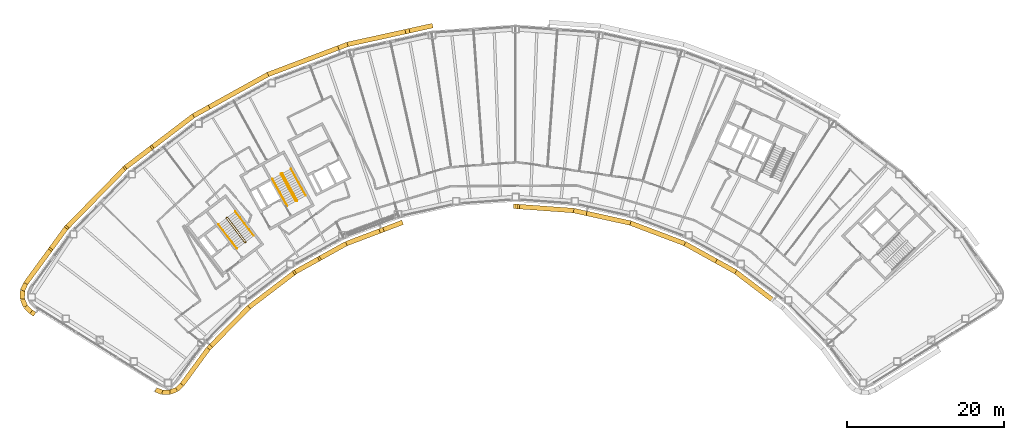
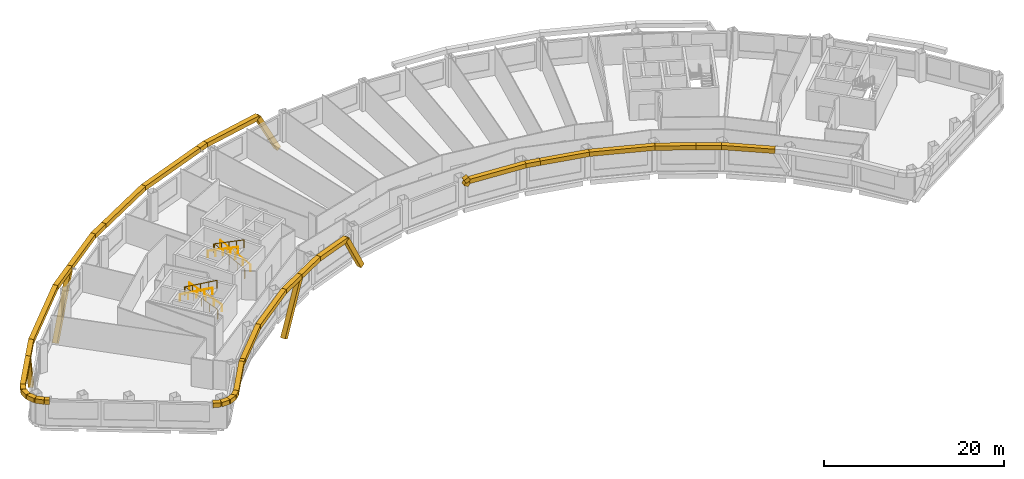
# One storey, part 14 of 16: 40 coverings, 6 railings.
"""IFC4 building model written with IfcOpenShell, lengths in metres."""

from ifc_helpers import new_model, si_unit, direction, frame, origin, origin_2d, place, context, subcontext, project, spatial, rectangle, circle, extrude, material, material_profile, profile_set, type_object, element, save


model = new_model("IFC4")

# Units and contexts
model_context = context("Model", 3, precision=1e-05, world=origin(), true_north=direction((0.0, 1.0)))
body_context = subcontext(model_context, "Body", "Model", "MODEL_VIEW")
ifc_project = project(units=[si_unit("LENGTHUNIT", "METRE"), si_unit("AREAUNIT", "SQUARE_METRE"), si_unit("VOLUMEUNIT", "CUBIC_METRE"), si_unit("PLANEANGLEUNIT", "RADIAN"), si_unit("MASSUNIT", "GRAM", prefix="KILO")], contexts=[model_context])

# Site, building, storey
site_placement = place(None, origin())
site = spatial("IfcSite", under=ifc_project, at=site_placement, CompositionType="ELEMENT")
building_placement = place(site_placement, origin())
building = spatial("IfcBuilding", under=site, at=building_placement, Name="Tuul Gate Civic Tower", CompositionType="ELEMENT")
storey_placement = place(building_placement, frame((0.0, 0.0, 184.699951171875)))
storey = spatial("IfcBuildingStorey", under=building, at=storey_placement, Name="Level 42", CompositionType="ELEMENT", Elevation=184.699951171875)

# Railings
ifc_material_1 = material(Name="Painted steel", Category="steel")
railing_type_1 = type_object("IfcRailingType", Name="Stair guard", PredefinedType="GUARDRAIL", material=ifc_material_1)
railing_1_placement = place(storey_placement, frame((-33.382080078125, -13.515380859375, 0.0)))
element("IfcRailing", 1, at=railing_1_placement, inside=storey, type_object=railing_type_1, Name="Level 42 ST-1 stair guard 1", PredefinedType="GUARDRAIL", context=body_context, shape_type="SweptSolid", body=[
    extrude(circle(Radius=0.02392578125, at=origin_2d()), frame((0.0, 0.0, 1.076171875), z_axis=(-0.795879841968, -0.605454603706, 0.0), x_axis=(0.605454603706, -0.795879841968, 0.0)), (0.0, 0.0, 1.0), 0.10009765625),
    extrude(circle(Radius=0.02392578125, at=origin_2d()), frame((-0.07958984375, -0.060546875, 1.076171875), z_axis=(0.408676696321, 0.599019267211, 0.688592241747), x_axis=(-0.826063974707, 0.563576356576, 0.0)), (0.0, 0.0, 1.0), 0.218017578125),
    extrude(circle(Radius=0.02392578125, at=origin_2d()), frame((0.009521484375, 0.070068359375, 1.22607421875), z_axis=(-0.541824460341, 0.711645023348, 0.447199748346), x_axis=(-0.795637165283, -0.60577347352, 0.0)), (0.0, 0.0, 1.0), 4.3603515625),
    extrude(circle(Radius=0.02392578125, at=origin_2d()), frame((-2.35302734375, 3.173095703125, 3.17626953125), z_axis=(-0.990893089246, 0.134650977284, 0.0), x_axis=(-0.134650977284, -0.990893089246, 0.0)), (0.0, 0.0, 1.0), 0.07080078125),
    extrude(circle(Radius=0.02392578125, at=origin_2d()), frame((-2.423095703125, 3.1826171875, 3.17626953125), z_axis=(-0.793802879778, -0.60817512943, 0.0), x_axis=(0.60817512943, -0.793802879778, 0.0)), (0.0, 0.0, 1.0), 0.099853515625),
    extrude(circle(Radius=0.02392578125, at=origin_2d()), frame((-2.50244140625, 3.121826171875, 3.17626953125), z_axis=(-0.057447065493, -0.422751481959, 0.904423031091), x_axis=(0.990893089246, -0.134650977284, 0.0)), (0.0, 0.0, 1.0), 0.165771484375),
    extrude(circle(Radius=0.02392578125, at=origin_2d()), frame((-2.511962890625, 3.0517578125, 3.326171875), z_axis=(0.541806494602, -0.71163897684, 0.447231136047), x_axis=(0.795644365679, 0.605764016233, 0.0)), (0.0, 0.0, 1.0), 4.360107421875),
    extrude(circle(Radius=0.02099609375, at=origin_2d()), origin(), (0.0, 0.0, 1.0), 1.052001953125),
    extrude(circle(Radius=0.02099609375, at=origin_2d()), frame((-0.07958984375, -0.060546875, 0.0)), (0.0, 0.0, 1.0), 1.052001953125),
    extrude(circle(Radius=0.02099609375, at=origin_2d()), frame((0.009521484375, 0.070068359375, 0.150146484375)), (0.0, 0.0, 1.0), 1.052001953125),
    extrude(circle(Radius=0.02099609375, at=origin_2d()), frame((-0.5810546875, 0.845703125, 0.6376953125)), (0.0, 0.0, 1.0), 1.052001953125),
    extrude(circle(Radius=0.02099609375, at=origin_2d()), frame((-1.171875, 1.62158203125, 1.125)), (0.0, 0.0, 1.0), 1.052001953125),
    extrude(circle(Radius=0.02099609375, at=origin_2d()), frame((-1.762451171875, 2.3974609375, 1.612548828125)), (0.0, 0.0, 1.0), 1.052001953125),
    extrude(circle(Radius=0.02099609375, at=origin_2d()), frame((-2.35302734375, 3.173095703125, 2.10009765625)), (0.0, 0.0, 1.0), 1.052001953125),
    extrude(circle(Radius=0.02099609375, at=origin_2d()), frame((-2.423095703125, 3.1826171875, 2.10009765625)), (0.0, 0.0, 1.0), 1.052001953125),
    extrude(circle(Radius=0.02099609375, at=origin_2d()), frame((-2.50244140625, 3.121826171875, 2.10009765625)), (0.0, 0.0, 1.0), 1.052001953125),
    extrude(circle(Radius=0.02099609375, at=origin_2d()), frame((-2.511962890625, 3.0517578125, 2.25)), (0.0, 0.0, 1.0), 1.052001953125),
    extrude(circle(Radius=0.02099609375, at=origin_2d()), frame((-1.92138671875, 2.276123046875, 2.737548828125)), (0.0, 0.0, 1.0), 1.052001953125),
    extrude(circle(Radius=0.02099609375, at=origin_2d()), frame((-1.330810546875, 1.50048828125, 3.22509765625)), (0.0, 0.0, 1.0), 1.052001953125),
    extrude(circle(Radius=0.02099609375, at=origin_2d()), frame((-0.740234375, 0.724609375, 3.71240234375)), (0.0, 0.0, 1.0), 1.052001953125),
    extrude(circle(Radius=0.02099609375, at=origin_2d()), frame((-0.149658203125, -0.051025390625, 4.199951171875)), (0.0, 0.0, 1.0), 1.052001953125),
])
railing_2_placement = place(storey_placement, frame((-26.857666015625, -8.247314453125, 0.0)))
element("IfcRailing", 2, at=railing_2_placement, inside=storey, type_object=railing_type_1, Name="Level 42 ST-2 stair guard 1", PredefinedType="GUARDRAIL", context=body_context, shape_type="SweptSolid", body=[
    extrude(circle(Radius=0.02392578125, at=origin_2d()), frame((0.0, 0.0, 1.076171875), z_axis=(-0.874616555828, -0.48481530532, 0.0), x_axis=(0.48481530532, -0.874616555828, 0.0)), (0.0, 0.0, 1.0), 0.10009765625),
    extrude(circle(Radius=0.02392578125, at=origin_2d()), frame((-0.087646484375, -0.048583984375, 1.076171875), z_axis=(0.490435707169, 0.534104639999, 0.688625479244), x_axis=(-0.736576986774, 0.676353711126, 0.0)), (0.0, 0.0, 1.0), 0.218017578125),
    extrude(circle(Radius=0.02392578125, at=origin_2d()), frame((0.019287109375, 0.06787109375, 1.22607421875), z_axis=(-0.43354991378, 0.782327185242, 0.447212083348), x_axis=(-0.874667644053, -0.484723129681, 0.0)), (0.0, 0.0, 1.0), 4.3603515625),
    extrude(circle(Radius=0.02392578125, at=origin_2d()), frame((-1.87109375, 3.47900390625, 3.17626953125), z_axis=(-0.961263487578, 0.275631107549, 0.0), x_axis=(-0.275631107549, -0.961263487578, 0.0)), (0.0, 0.0, 1.0), 0.07080078125),
    extrude(circle(Radius=0.02392578125, at=origin_2d()), frame((-1.939208984375, 3.49853515625, 3.17626953125), z_axis=(-0.874042088414, -0.485850211157, 0.0), x_axis=(0.485850211157, -0.874042088414, 0.0)), (0.0, 0.0, 1.0), 0.10009765625),
    extrude(circle(Radius=0.02392578125, at=origin_2d()), frame((-2.026611328125, 3.449951171875, 3.17626953125), z_axis=(-0.117866478395, -0.409586012422, 0.90462522168), x_axis=(0.961000426733, -0.276546885391, 0.0)), (0.0, 0.0, 1.0), 0.165771484375),
    extrude(circle(Radius=0.02392578125, at=origin_2d()), frame((-2.046142578125, 3.382080078125, 3.326171875), z_axis=(0.433595379963, -0.782308193291, 0.447201226726), x_axis=(0.874641102302, 0.484771020343, 0.0)), (0.0, 0.0, 1.0), 4.3603515625),
    extrude(circle(Radius=0.02099609375, at=origin_2d()), origin(), (0.0, 0.0, 1.0), 1.052001953125),
    extrude(circle(Radius=0.02099609375, at=origin_2d()), frame((-0.087646484375, -0.048583984375, 0.0)), (0.0, 0.0, 1.0), 1.052001953125),
    extrude(circle(Radius=0.02099609375, at=origin_2d()), frame((0.019287109375, 0.06787109375, 0.150146484375)), (0.0, 0.0, 1.0), 1.052001953125),
    extrude(circle(Radius=0.02099609375, at=origin_2d()), frame((-0.453369140625, 0.920654296875, 0.6376953125)), (0.0, 0.0, 1.0), 1.052001953125),
    extrude(circle(Radius=0.02099609375, at=origin_2d()), frame((-0.92578125, 1.7734375, 1.125)), (0.0, 0.0, 1.0), 1.052001953125),
    extrude(circle(Radius=0.02099609375, at=origin_2d()), frame((-1.3984375, 2.626220703125, 1.612548828125)), (0.0, 0.0, 1.0), 1.052001953125),
    extrude(circle(Radius=0.02099609375, at=origin_2d()), frame((-1.87109375, 3.47900390625, 2.10009765625)), (0.0, 0.0, 1.0), 1.052001953125),
    extrude(circle(Radius=0.02099609375, at=origin_2d()), frame((-1.939208984375, 3.49853515625, 2.10009765625)), (0.0, 0.0, 1.0), 1.052001953125),
    extrude(circle(Radius=0.02099609375, at=origin_2d()), frame((-2.026611328125, 3.449951171875, 2.10009765625)), (0.0, 0.0, 1.0), 1.052001953125),
    extrude(circle(Radius=0.02099609375, at=origin_2d()), frame((-2.046142578125, 3.382080078125, 2.25)), (0.0, 0.0, 1.0), 1.052001953125),
    extrude(circle(Radius=0.02099609375, at=origin_2d()), frame((-1.573486328125, 2.529296875, 2.737548828125)), (0.0, 0.0, 1.0), 1.052001953125),
    extrude(circle(Radius=0.02099609375, at=origin_2d()), frame((-1.100830078125, 1.676513671875, 3.22509765625)), (0.0, 0.0, 1.0), 1.052001953125),
    extrude(circle(Radius=0.02099609375, at=origin_2d()), frame((-0.628173828125, 0.82373046875, 3.71240234375)), (0.0, 0.0, 1.0), 1.052001953125),
    extrude(circle(Radius=0.02099609375, at=origin_2d()), frame((-0.155517578125, -0.029052734375, 4.199951171875)), (0.0, 0.0, 1.0), 1.052001953125),
])
ifc_material_2 = material(Name="Painted steel", Category="steel")
railing_type_2 = type_object("IfcRailingType", Name="Stair handrail", PredefinedType="HANDRAIL", material=ifc_material_2)
railing_3_placement = place(storey_placement, frame((-32.3779296875, -12.688232421875, 0.150146484375)))
element("IfcRailing", 3, at=railing_3_placement, inside=storey, type_object=railing_type_2, Name="Level 42 ST-1 stair handrail 1", PredefinedType="HANDRAIL", context=body_context, shape_type="SweptSolid", body=[
    extrude(circle(Radius=0.02392578125, at=origin_2d()), frame((0.0, 0.0, 0.8759765625), z_axis=(-0.541824460341, 0.711645023348, 0.447199748346), x_axis=(-0.795637165283, -0.60577347352, 0.0)), (0.0, 0.0, 1.0), 4.3603515625),
    extrude(circle(Radius=0.02099609375, at=origin_2d()), origin(), (0.0, 0.0, 1.0), 0.851806640625),
    extrude(circle(Radius=0.02099609375, at=origin_2d()), frame((-0.590576171875, 0.77587890625, 0.487548828125)), (0.0, 0.0, 1.0), 0.851806640625),
    extrude(circle(Radius=0.02099609375, at=origin_2d()), frame((-1.18115234375, 1.551513671875, 0.97509765625)), (0.0, 0.0, 1.0), 0.851806640625),
    extrude(circle(Radius=0.02099609375, at=origin_2d()), frame((-1.77197265625, 2.3271484375, 1.46240234375)), (0.0, 0.0, 1.0), 0.851806640625),
    extrude(circle(Radius=0.02099609375, at=origin_2d()), frame((-2.362548828125, 3.10302734375, 1.949951171875)), (0.0, 0.0, 1.0), 0.851806640625),
])
railing_4_placement = place(storey_placement, frame((-36.888671875, -11.220703125, 2.25)))
element("IfcRailing", 4, at=railing_4_placement, inside=storey, type_object=railing_type_2, Name="Level 42 ST-1 stair handrail 2", PredefinedType="HANDRAIL", context=body_context, shape_type="SweptSolid", body=[
    extrude(circle(Radius=0.02392578125, at=origin_2d()), frame((0.0, 0.0, 0.8759765625), z_axis=(0.541824460341, -0.711645023348, 0.447199748346), x_axis=(0.795637165283, 0.60577347352, 0.0)), (0.0, 0.0, 1.0), 4.3603515625),
    extrude(circle(Radius=0.02099609375, at=origin_2d()), origin(), (0.0, 0.0, 1.0), 0.851806640625),
    extrude(circle(Radius=0.02099609375, at=origin_2d()), frame((0.590576171875, -0.77587890625, 0.487548828125)), (0.0, 0.0, 1.0), 0.851806640625),
    extrude(circle(Radius=0.02099609375, at=origin_2d()), frame((1.18115234375, -1.551513671875, 0.97509765625)), (0.0, 0.0, 1.0), 0.851806640625),
    extrude(circle(Radius=0.02099609375, at=origin_2d()), frame((1.77197265625, -2.3271484375, 1.46240234375)), (0.0, 0.0, 1.0), 0.851806640625),
    extrude(circle(Radius=0.02099609375, at=origin_2d()), frame((2.362548828125, -3.10302734375, 1.949951171875)), (0.0, 0.0, 1.0), 0.851806640625),
])
railing_5_placement = place(storey_placement, frame((-25.744873046875, -7.573486328125, 0.150146484375)))
element("IfcRailing", 5, at=railing_5_placement, inside=storey, type_object=railing_type_2, Name="Level 42 ST-2 stair handrail 1", PredefinedType="HANDRAIL", context=body_context, shape_type="SweptSolid", body=[
    extrude(circle(Radius=0.02392578125, at=origin_2d()), frame((0.0, 0.0, 0.8759765625), z_axis=(-0.433595379963, 0.782308193291, 0.447201226726), x_axis=(-0.874641102302, -0.484771020343, 0.0)), (0.0, 0.0, 1.0), 4.3603515625),
    extrude(circle(Radius=0.02099609375, at=origin_2d()), origin(), (0.0, 0.0, 1.0), 0.851806640625),
    extrude(circle(Radius=0.02099609375, at=origin_2d()), frame((-0.47265625, 0.852783203125, 0.487548828125)), (0.0, 0.0, 1.0), 0.851806640625),
    extrude(circle(Radius=0.02099609375, at=origin_2d()), frame((-0.9453125, 1.70556640625, 0.97509765625)), (0.0, 0.0, 1.0), 0.851806640625),
    extrude(circle(Radius=0.02099609375, at=origin_2d()), frame((-1.41796875, 2.558349609375, 1.46240234375)), (0.0, 0.0, 1.0), 0.851806640625),
    extrude(circle(Radius=0.02099609375, at=origin_2d()), frame((-1.890625, 3.4111328125, 1.949951171875)), (0.0, 0.0, 1.0), 0.851806640625),
])
railing_6_placement = place(storey_placement, frame((-29.9970703125, -5.47119140625, 2.25)))
element("IfcRailing", 6, at=railing_6_placement, inside=storey, type_object=railing_type_2, Name="Level 42 ST-2 stair handrail 2", PredefinedType="HANDRAIL", context=body_context, shape_type="SweptSolid", body=[
    extrude(circle(Radius=0.02392578125, at=origin_2d()), frame((0.0, 0.0, 0.8759765625), z_axis=(0.433595379963, -0.782308193291, 0.447201226726), x_axis=(0.874641102302, 0.484771020343, 0.0)), (0.0, 0.0, 1.0), 4.3603515625),
    extrude(circle(Radius=0.02099609375, at=origin_2d()), origin(), (0.0, 0.0, 1.0), 0.851806640625),
    extrude(circle(Radius=0.02099609375, at=origin_2d()), frame((0.47265625, -0.852783203125, 0.487548828125)), (0.0, 0.0, 1.0), 0.851806640625),
    extrude(circle(Radius=0.02099609375, at=origin_2d()), frame((0.9453125, -1.70556640625, 0.97509765625)), (0.0, 0.0, 1.0), 0.851806640625),
    extrude(circle(Radius=0.02099609375, at=origin_2d()), frame((1.41796875, -2.558349609375, 1.46240234375)), (0.0, 0.0, 1.0), 0.851806640625),
    extrude(circle(Radius=0.02099609375, at=origin_2d()), frame((1.890625, -3.4111328125, 1.949951171875)), (0.0, 0.0, 1.0), 0.851806640625),
])

# Coverings
ifc_material_3 = material(Name="Terracotta baguette", Category="masonry")
ifc_material_profile = material_profile(ifc_material_3, rectangle(XDim=0.60009765625, YDim=0.60009765625, at=origin_2d()), Name="Terracotta baguette screen frame")
ifc_profile_set = profile_set([ifc_material_profile], Name="Terracotta baguette")
covering_type = type_object("IfcCoveringType", Name="Terracotta baguette screen frame", PredefinedType="CLADDING", material=ifc_profile_set)
covering_1_placement = place(storey_placement, frame((-9.83349609375, 14.03515625, -1.753662109375), z_axis=(-0.464008503472, -0.102278146667, 0.879906409467), x_axis=(0.215255779453, -0.976557704087, 0.0)))
element("IfcCovering", 7, at=covering_1_placement, inside=storey, type_object=covering_type, Name="Baguette 82", PredefinedType="CLADDING", context=body_context, shape_type="SweptSolid", body=[
    extrude(rectangle(XDim=0.60009765625, YDim=0.60009765625, at=origin_2d()), origin(), (0.0, 0.0, 1.0), 6.36865234375),
])
covering_2_placement = place(storey_placement, frame((-12.78857421875, 13.3837890625, 3.85009765625), z_axis=(-0.976561499416, -0.21523856034, 0.0), x_axis=(0.21523856034, -0.976561499416, 0.0)))
element("IfcCovering", 8, at=covering_2_placement, inside=storey, type_object=covering_type, Name="Baguette 89", PredefinedType="CLADDING", context=body_context, shape_type="SweptSolid", body=[
    extrude(rectangle(XDim=0.60009765625, YDim=0.60009765625, at=origin_2d()), origin(), (0.0, 0.0, 1.0), 7.82421875),
])
covering_3_placement = place(storey_placement, frame((-20.429443359375, 11.69970703125, 3.85009765625), z_axis=(-0.935377216665, -0.353651611821, 0.0), x_axis=(0.353651611821, -0.935377216665, 0.0)))
element("IfcCovering", 9, at=covering_3_placement, inside=storey, type_object=covering_type, Name="Baguette 90", PredefinedType="CLADDING", context=body_context, shape_type="SweptSolid", body=[
    extrude(rectangle(XDim=0.60009765625, YDim=0.60009765625, at=origin_2d()), origin(), (0.0, 0.0, 1.0), 1.248046875),
])
covering_4_placement = place(storey_placement, frame((-38.050048828125, 3.72021484375, 3.85009765625), z_axis=(-0.874635533346, -0.484781067915, 0.0), x_axis=(0.484781067915, -0.874635533346, 0.0)))
element("IfcCovering", 10, at=covering_4_placement, inside=storey, type_object=covering_type, Name="Baguette 107", PredefinedType="CLADDING", context=body_context, shape_type="SweptSolid", body=[
    extrude(rectangle(XDim=0.60009765625, YDim=0.60009765625, at=origin_2d()), origin(), (0.0, 0.0, 1.0), 2.3095703125),
])
covering_5_placement = place(storey_placement, frame((-40.070068359375, 2.6005859375, 3.85009765625), z_axis=(-0.795616483898, -0.605800635977, 0.0), x_axis=(0.605800635977, -0.795616483898, 0.0)))
element("IfcCovering", 11, at=covering_5_placement, inside=storey, type_object=covering_type, Name="Baguette 108", PredefinedType="CLADDING", context=body_context, shape_type="SweptSolid", body=[
    extrude(rectangle(XDim=0.60009765625, YDim=0.60009765625, at=origin_2d()), origin(), (0.0, 0.0, 1.0), 6.762939453125),
])
covering_6_placement = place(storey_placement, frame((-45.45068359375, -1.496337890625, 3.85009765625), z_axis=(-0.378051292812, -0.28785127331, -0.879897076059), x_axis=(0.605793108402, -0.79562221551, 0.0)))
element("IfcCovering", 12, at=covering_6_placement, inside=storey, type_object=covering_type, Name="Baguette 111", PredefinedType="CLADDING", context=body_context, shape_type="SweptSolid", body=[
    extrude(rectangle(XDim=0.60009765625, YDim=0.60009765625, at=origin_2d()), origin(), (0.0, 0.0, 1.0), 8.6044921875),
])
covering_7_placement = place(storey_placement, frame((-56.299560546875, -11.7216796875, -2.0859375), z_axis=(-0.281332695799, -0.385255540514, 0.878880016144), x_axis=(0.807590994458, -0.589742982723, 0.0)))
element("IfcCovering", 13, at=covering_7_placement, inside=storey, type_object=covering_type, Name="Baguette 124", PredefinedType="CLADDING", context=body_context, shape_type="SweptSolid", body=[
    extrude(rectangle(XDim=0.60009765625, YDim=0.60009765625, at=origin_2d()), origin(), (0.0, 0.0, 1.0), 6.754150390625),
])
covering_8_placement = place(storey_placement, frame((-58.19970703125, -14.32373046875, 3.85009765625), z_axis=(-0.589776736923, -0.807566344386, 0.0), x_axis=(0.807566344386, -0.589776736923, 0.0)))
element("IfcCovering", 14, at=covering_8_placement, inside=storey, type_object=covering_type, Name="Baguette 135", PredefinedType="CLADDING", context=body_context, shape_type="SweptSolid", body=[
    extrude(rectangle(XDim=0.60009765625, YDim=0.60009765625, at=origin_2d()), origin(), (0.0, 0.0, 1.0), 5.512939453125),
])
covering_9_placement = place(storey_placement, frame((-61.451171875, -18.77587890625, 3.85009765625), z_axis=(-0.413393330634, -0.910552554325, 0.0), x_axis=(0.910552554325, -0.413393330634, 0.0)))
element("IfcCovering", 15, at=covering_9_placement, inside=storey, type_object=covering_type, Name="Baguette 136", PredefinedType="CLADDING", context=body_context, shape_type="SweptSolid", body=[
    extrude(rectangle(XDim=0.60009765625, YDim=0.60009765625, at=origin_2d()), origin(), (0.0, 0.0, 1.0), 0.988037109375),
])
covering_10_placement = place(storey_placement, frame((-61.859619140625, -19.675537109375, 3.85009765625), z_axis=(-0.014633694716, -0.999892921757, 0.0), x_axis=(0.999892921757, -0.014633694716, 0.0)))
element("IfcCovering", 16, at=covering_10_placement, inside=storey, type_object=covering_type, Name="Baguette 137", PredefinedType="CLADDING", context=body_context, shape_type="SweptSolid", body=[
    extrude(rectangle(XDim=0.60009765625, YDim=0.60009765625, at=origin_2d()), origin(), (0.0, 0.0, 1.0), 1.067626953125),
])
covering_11_placement = place(storey_placement, frame((-61.875244140625, -20.7431640625, 3.85009765625), z_axis=(0.385784883999, -0.922588761734, 0.0), x_axis=(0.922588761734, 0.385784883999, 0.0)))
element("IfcCovering", 17, at=covering_11_placement, inside=storey, type_object=covering_type, Name="Baguette 138", PredefinedType="CLADDING", context=body_context, shape_type="SweptSolid", body=[
    extrude(rectangle(XDim=0.60009765625, YDim=0.60009765625, at=origin_2d()), origin(), (0.0, 0.0, 1.0), 1.06689453125),
])
covering_12_placement = place(storey_placement, frame((-61.463623046875, -21.7275390625, 3.85009765625), z_axis=(0.722137314744, -0.691749737011, 0.0), x_axis=(0.691749737011, 0.722137314744, 0.0)))
element("IfcCovering", 18, at=covering_12_placement, inside=storey, type_object=covering_type, Name="Baguette 139", PredefinedType="CLADDING", context=body_context, shape_type="SweptSolid", body=[
    extrude(rectangle(XDim=0.60009765625, YDim=0.60009765625, at=origin_2d()), origin(), (0.0, 0.0, 1.0), 0.98828125),
])
covering_13_placement = place(storey_placement, frame((-60.75, -22.4111328125, 3.85009765625), z_axis=(0.848049364617, -0.529917234267, 0.0), x_axis=(0.529917234267, 0.848049364617, 0.0)))
element("IfcCovering", 19, at=covering_13_placement, inside=storey, type_object=covering_type, Name="Baguette 140", PredefinedType="CLADDING", context=body_context, shape_type="SweptSolid", body=[
    extrude(rectangle(XDim=0.60009765625, YDim=0.60009765625, at=origin_2d()), origin(), (0.0, 0.0, 1.0), 0.537109375),
])
covering_14_placement = place(storey_placement, frame((-44.894775390625, -32.318359375, 3.85009765625), z_axis=(0.931836861998, -0.362877476047, 0.0), x_axis=(0.362877476047, 0.931836861998, 0.0)))
element("IfcCovering", 20, at=covering_14_placement, inside=storey, type_object=covering_type, Name="Baguette 165", PredefinedType="CLADDING", context=body_context, shape_type="SweptSolid", body=[
    extrude(rectangle(XDim=0.60009765625, YDim=0.60009765625, at=origin_2d()), origin(), (0.0, 0.0, 1.0), 0.901611328125),
])
covering_15_placement = place(storey_placement, frame((-44.0546875, -32.6455078125, 3.85009765625), z_axis=(0.999995470638, 0.003009768158, 0.0), x_axis=(-0.003009768158, 0.999995470638, 0.0)))
element("IfcCovering", 21, at=covering_15_placement, inside=storey, type_object=covering_type, Name="Baguette 166", PredefinedType="CLADDING", context=body_context, shape_type="SweptSolid", body=[
    extrude(rectangle(XDim=0.60009765625, YDim=0.60009765625, at=origin_2d()), origin(), (0.0, 0.0, 1.0), 0.973388671875),
])
covering_16_placement = place(storey_placement, frame((-43.081298828125, -32.642578125, 3.85009765625), z_axis=(0.92921778572, 0.369532551614, 0.0), x_axis=(-0.369532551614, 0.92921778572, 0.0)))
element("IfcCovering", 22, at=covering_16_placement, inside=storey, type_object=covering_type, Name="Baguette 167", PredefinedType="CLADDING", context=body_context, shape_type="SweptSolid", body=[
    extrude(rectangle(XDim=0.60009765625, YDim=0.60009765625, at=origin_2d()), origin(), (0.0, 0.0, 1.0), 0.974609375),
])
covering_17_placement = place(storey_placement, frame((-42.17578125, -32.282470703125, 3.85009765625), z_axis=(0.729883388516, 0.68357167815, 0.0), x_axis=(-0.68357167815, 0.729883388516, 0.0)))
element("IfcCovering", 23, at=covering_17_placement, inside=storey, type_object=covering_type, Name="Baguette 168", PredefinedType="CLADDING", context=body_context, shape_type="SweptSolid", body=[
    extrude(rectangle(XDim=0.60009765625, YDim=0.60009765625, at=origin_2d()), origin(), (0.0, 0.0, 1.0), 0.9013671875),
])
covering_18_placement = place(storey_placement, frame((-41.517822265625, -31.666259765625, 3.85009765625), z_axis=(0.589729447422, 0.807600878432, 0.0), x_axis=(-0.807600878432, 0.589729447422, 0.0)))
element("IfcCovering", 24, at=covering_18_placement, inside=storey, type_object=covering_type, Name="Baguette 169", PredefinedType="CLADDING", context=body_context, shape_type="SweptSolid", body=[
    extrude(rectangle(XDim=0.60009765625, YDim=0.60009765625, at=origin_2d()), origin(), (0.0, 0.0, 1.0), 5.671142578125),
])
covering_19_placement = place(storey_placement, frame((-38.17333984375, -27.086181640625, 3.85009765625), z_axis=(0.700128863512, 0.714016508547, 0.0), x_axis=(-0.714016508547, 0.700128863512, 0.0)))
element("IfcCovering", 25, at=covering_19_placement, inside=storey, type_object=covering_type, Name="Baguette 170", PredefinedType="CLADDING", context=body_context, shape_type="SweptSolid", body=[
    extrude(rectangle(XDim=0.60009765625, YDim=0.60009765625, at=origin_2d()), origin(), (0.0, 0.0, 1.0), 0.509765625),
])
covering_20_placement = place(storey_placement, frame((-27.078857421875, -17.295654296875, -2.561767578125), z_axis=(0.407705257724, 0.226001369418, 0.88470322925), x_axis=(-0.484820540629, 0.874613653783, 0.0)))
element("IfcCovering", 26, at=covering_20_placement, inside=storey, type_object=covering_type, Name="Baguette 189", PredefinedType="CLADDING", context=body_context, shape_type="SweptSolid", body=[
    extrude(rectangle(XDim=0.60009765625, YDim=0.60009765625, at=origin_2d()), origin(), (0.0, 0.0, 1.0), 7.24755859375),
])
covering_21_placement = place(storey_placement, frame((-24.1240234375, -15.65771484375, 3.85009765625), z_axis=(0.874618697284, 0.484811442069, 0.0), x_axis=(-0.484811442069, 0.874618697284, 0.0)))
element("IfcCovering", 27, at=covering_21_placement, inside=storey, type_object=covering_type, Name="Baguette 196", PredefinedType="CLADDING", context=body_context, shape_type="SweptSolid", body=[
    extrude(rectangle(XDim=0.60009765625, YDim=0.60009765625, at=origin_2d()), origin(), (0.0, 0.0, 1.0), 4.039794921875),
])
covering_22_placement = place(storey_placement, frame((-20.5908203125, -13.69921875, 3.85009765625), z_axis=(0.935372913928, 0.353662991972, 0.0), x_axis=(-0.353662991972, 0.935372913928, 0.0)))
element("IfcCovering", 28, at=covering_22_placement, inside=storey, type_object=covering_type, Name="Baguette 197", PredefinedType="CLADDING", context=body_context, shape_type="SweptSolid", body=[
    extrude(rectangle(XDim=0.60009765625, YDim=0.60009765625, at=origin_2d()), origin(), (0.0, 0.0, 1.0), 4.812255859375),
])
covering_23_placement = place(storey_placement, frame((-16.089599609375, -11.997314453125, 3.85009765625), z_axis=(0.436000809441, 0.164887102348, -0.88471212134), x_axis=(-0.353730371417, 0.935347435094, 0.0)))
element("IfcCovering", 29, at=covering_23_placement, inside=storey, type_object=covering_type, Name="Baguette 200", PredefinedType="CLADDING", context=body_context, shape_type="SweptSolid", body=[
    extrude(rectangle(XDim=0.60009765625, YDim=0.60009765625, at=origin_2d()), origin(), (0.0, 0.0, 1.0), 5.58935546875),
])
covering_24_placement = place(storey_placement, frame((0.989990234375, -8.943115234375, 3.3515625), z_axis=(0.464897784766, -0.033361723604, 0.884735579209), x_axis=(0.071577352276, 0.997435051841, 0.0)))
element("IfcCovering", 30, at=covering_24_placement, inside=storey, type_object=covering_type, Name="Baguette 215", PredefinedType="CLADDING", context=body_context, shape_type="SweptSolid", body=[
    extrude(rectangle(XDim=0.60009765625, YDim=0.60009765625, at=origin_2d()), origin(), (0.0, 0.0, 1.0), 0.5634765625),
])
covering_25_placement = place(storey_placement, frame((0.989990234375, -8.943115234375, 4.348388671875), z_axis=(0.465076052241, -0.03337451633, -0.884641400394), x_axis=(0.071577352276, 0.997435051841, 0.0)))
element("IfcCovering", 31, at=covering_25_placement, inside=storey, type_object=covering_type, Name="Baguette 217", PredefinedType="CLADDING", context=body_context, shape_type="SweptSolid", body=[
    extrude(rectangle(XDim=0.60009765625, YDim=0.60009765625, at=origin_2d()), origin(), (0.0, 0.0, 1.0), 0.563232421875),
])
covering_26_placement = place(storey_placement, frame((1.251953125, -8.9619140625, 3.85009765625), z_axis=(0.997385437558, -0.072265406293, 0.0), x_axis=(0.072265406293, 0.997385437558, 0.0)))
element("IfcCovering", 32, at=covering_26_placement, inside=storey, type_object=covering_type, Name="Baguette 222", PredefinedType="CLADDING", context=body_context, shape_type="SweptSolid", body=[
    extrude(rectangle(XDim=0.60009765625, YDim=0.60009765625, at=origin_2d()), origin(), (0.0, 0.0, 1.0), 7.155517578125),
])
covering_27_placement = place(storey_placement, frame((8.388671875, -9.47900390625, 3.85009765625), z_axis=(0.976551365634, -0.215284533302, 0.0), x_axis=(0.215284533302, 0.976551365634, 0.0)))
element("IfcCovering", 33, at=covering_27_placement, inside=storey, type_object=covering_type, Name="Baguette 223", PredefinedType="CLADDING", context=body_context, shape_type="SweptSolid", body=[
    extrude(rectangle(XDim=0.60009765625, YDim=0.60009765625, at=origin_2d()), origin(), (0.0, 0.0, 1.0), 1.696533203125),
])
covering_28_placement = place(storey_placement, frame((26.5634765625, -15.912353515625, 3.85009765625), z_axis=(0.874604932638, -0.484836273195, 0.0), x_axis=(0.484836273195, 0.874604932638, 0.0)))
element("IfcCovering", 34, at=covering_28_placement, inside=storey, type_object=covering_type, Name="Baguette 242", PredefinedType="CLADDING", context=body_context, shape_type="SweptSolid", body=[
    extrude(rectangle(XDim=0.60009765625, YDim=0.60009765625, at=origin_2d()), origin(), (0.0, 0.0, 1.0), 2.85302734375),
])
covering_29_placement = place(storey_placement, frame((29.058837890625, -17.295654296875, 3.85009765625), z_axis=(0.795583046267, -0.605844548124, 0.0), x_axis=(0.605844548124, 0.795583046267, 0.0)))
element("IfcCovering", 35, at=covering_29_placement, inside=storey, type_object=covering_type, Name="Baguette 243", PredefinedType="CLADDING", context=body_context, shape_type="SweptSolid", body=[
    extrude(rectangle(XDim=0.60009765625, YDim=0.60009765625, at=origin_2d()), origin(), (0.0, 0.0, 1.0), 5.998779296875),
])
covering_30_placement = place(storey_placement, frame((-21.596923828125, 11.25830078125, 3.85009765625), z_axis=(-0.935344466334, -0.353738221428, 0.0), x_axis=(0.353738221428, -0.935344466334, 0.0)))
element("IfcCovering", 36, at=covering_30_placement, inside=storey, type_object=covering_type, Name="Baguette 305", PredefinedType="CLADDING", context=body_context, shape_type="SweptSolid", body=[
    extrude(rectangle(XDim=0.60009765625, YDim=0.60009765625, at=origin_2d()), origin(), (0.0, 0.0, 1.0), 9.60302734375),
])
covering_31_placement = place(storey_placement, frame((-30.5791015625, 7.861328125, 3.85009765625), z_axis=(-0.874624691551, -0.484800628021, 0.0), x_axis=(0.484800628021, -0.874624691551, 0.0)))
element("IfcCovering", 37, at=covering_31_placement, inside=storey, type_object=covering_type, Name="Baguette 306", PredefinedType="CLADDING", context=body_context, shape_type="SweptSolid", body=[
    extrude(rectangle(XDim=0.60009765625, YDim=0.60009765625, at=origin_2d()), origin(), (0.0, 0.0, 1.0), 8.5419921875),
])
covering_32_placement = place(storey_placement, frame((-45.45068359375, -1.496337890625, 3.85009765625), z_axis=(-0.79562221551, -0.605793108402, 0.0), x_axis=(0.605793108402, -0.79562221551, 0.0)))
element("IfcCovering", 38, at=covering_32_placement, inside=storey, type_object=covering_type, Name="Baguette 313", PredefinedType="CLADDING", context=body_context, shape_type="SweptSolid", body=[
    extrude(rectangle(XDim=0.60009765625, YDim=0.60009765625, at=origin_2d()), origin(), (0.0, 0.0, 1.0), 4.088623046875),
])
covering_33_placement = place(storey_placement, frame((-48.70361328125, -3.97314453125, 3.85009765625), z_axis=(-0.700040591401, -0.714103053061, 0.0), x_axis=(0.714103053061, -0.700040591401, 0.0)))
element("IfcCovering", 39, at=covering_33_placement, inside=storey, type_object=covering_type, Name="Baguette 314", PredefinedType="CLADDING", context=body_context, shape_type="SweptSolid", body=[
    extrude(rectangle(XDim=0.60009765625, YDim=0.60009765625, at=origin_2d()), origin(), (0.0, 0.0, 1.0), 10.850830078125),
])
covering_34_placement = place(storey_placement, frame((-56.299560546875, -11.7216796875, 3.85009765625), z_axis=(-0.589742982723, -0.807590994458, 0.0), x_axis=(0.807590994458, -0.589742982723, 0.0)))
element("IfcCovering", 40, at=covering_34_placement, inside=storey, type_object=covering_type, Name="Baguette 315", PredefinedType="CLADDING", context=body_context, shape_type="SweptSolid", body=[
    extrude(rectangle(XDim=0.60009765625, YDim=0.60009765625, at=origin_2d()), origin(), (0.0, 0.0, 1.0), 3.221923828125),
])
covering_35_placement = place(storey_placement, frame((-37.81640625, -26.72216796875, 3.85009765625), z_axis=(0.700091906079, 0.71405274528, 0.0), x_axis=(-0.71405274528, 0.700091906079, 0.0)))
element("IfcCovering", 41, at=covering_35_placement, inside=storey, type_object=covering_type, Name="Baguette 337", PredefinedType="CLADDING", context=body_context, shape_type="SweptSolid", body=[
    extrude(rectangle(XDim=0.60009765625, YDim=0.60009765625, at=origin_2d()), origin(), (0.0, 0.0, 1.0), 6.907470703125),
])
covering_36_placement = place(storey_placement, frame((-32.98046875, -21.789794921875, 3.85009765625), z_axis=(0.795582797942, 0.60584487422, 0.0), x_axis=(-0.60584487422, 0.795582797942, 0.0)))
element("IfcCovering", 42, at=covering_36_placement, inside=storey, type_object=covering_type, Name="Baguette 338", PredefinedType="CLADDING", context=body_context, shape_type="SweptSolid", body=[
    extrude(rectangle(XDim=0.60009765625, YDim=0.60009765625, at=origin_2d()), origin(), (0.0, 0.0, 1.0), 7.41796875),
])
covering_37_placement = place(storey_placement, frame((-27.078857421875, -17.295654296875, 3.85009765625), z_axis=(0.874613653783, 0.484820540629, 0.0), x_axis=(-0.484820540629, 0.874613653783, 0.0)))
element("IfcCovering", 43, at=covering_37_placement, inside=storey, type_object=covering_type, Name="Baguette 339", PredefinedType="CLADDING", context=body_context, shape_type="SweptSolid", body=[
    extrude(rectangle(XDim=0.60009765625, YDim=0.60009765625, at=origin_2d()), origin(), (0.0, 0.0, 1.0), 3.37841796875),
])
covering_38_placement = place(storey_placement, frame((10.04541015625, -9.84423828125, 3.85009765625), z_axis=(0.976561115954, -0.215240300147, 0.0), x_axis=(0.215240300147, 0.976561115954, 0.0)))
element("IfcCovering", 44, at=covering_38_placement, inside=storey, type_object=covering_type, Name="Baguette 346", PredefinedType="CLADDING", context=body_context, shape_type="SweptSolid", body=[
    extrude(rectangle(XDim=0.60009765625, YDim=0.60009765625, at=origin_2d()), origin(), (0.0, 0.0, 1.0), 5.72119140625),
])
covering_39_placement = place(storey_placement, frame((15.632568359375, -11.07568359375, 3.85009765625), z_axis=(0.935363965038, -0.353686659217, 0.0), x_axis=(0.353686659217, 0.935363965038, 0.0)))
element("IfcCovering", 45, at=covering_39_placement, inside=storey, type_object=covering_type, Name="Baguette 347", PredefinedType="CLADDING", context=body_context, shape_type="SweptSolid", body=[
    extrude(rectangle(XDim=0.60009765625, YDim=0.60009765625, at=origin_2d()), origin(), (0.0, 0.0, 1.0), 7.417724609375),
])
covering_40_placement = place(storey_placement, frame((22.57080078125, -13.69921875, 3.85009765625), z_axis=(0.874623567378, -0.484802656126, 0.0), x_axis=(0.484802656126, 0.874623567378, 0.0)))
element("IfcCovering", 46, at=covering_40_placement, inside=storey, type_object=covering_type, Name="Baguette 348", PredefinedType="CLADDING", context=body_context, shape_type="SweptSolid", body=[
    extrude(rectangle(XDim=0.60009765625, YDim=0.60009765625, at=origin_2d()), origin(), (0.0, 0.0, 1.0), 4.56494140625),
])

save(model, "model.ifc")
